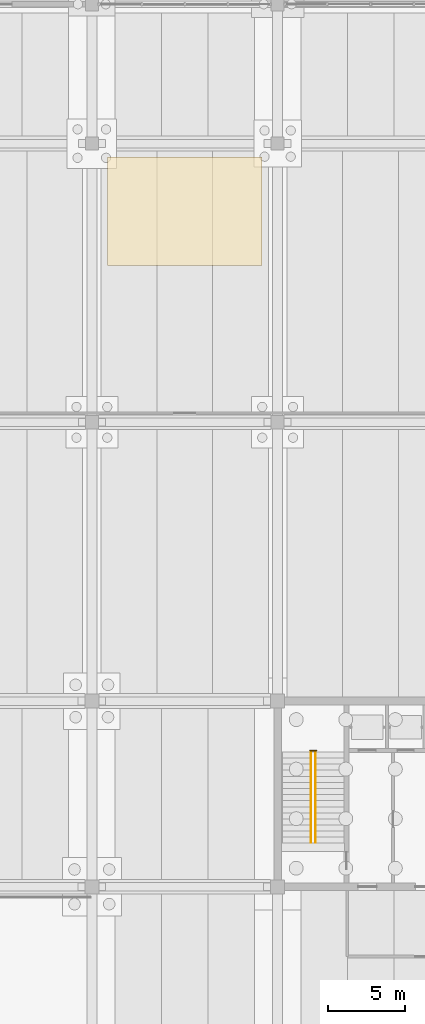
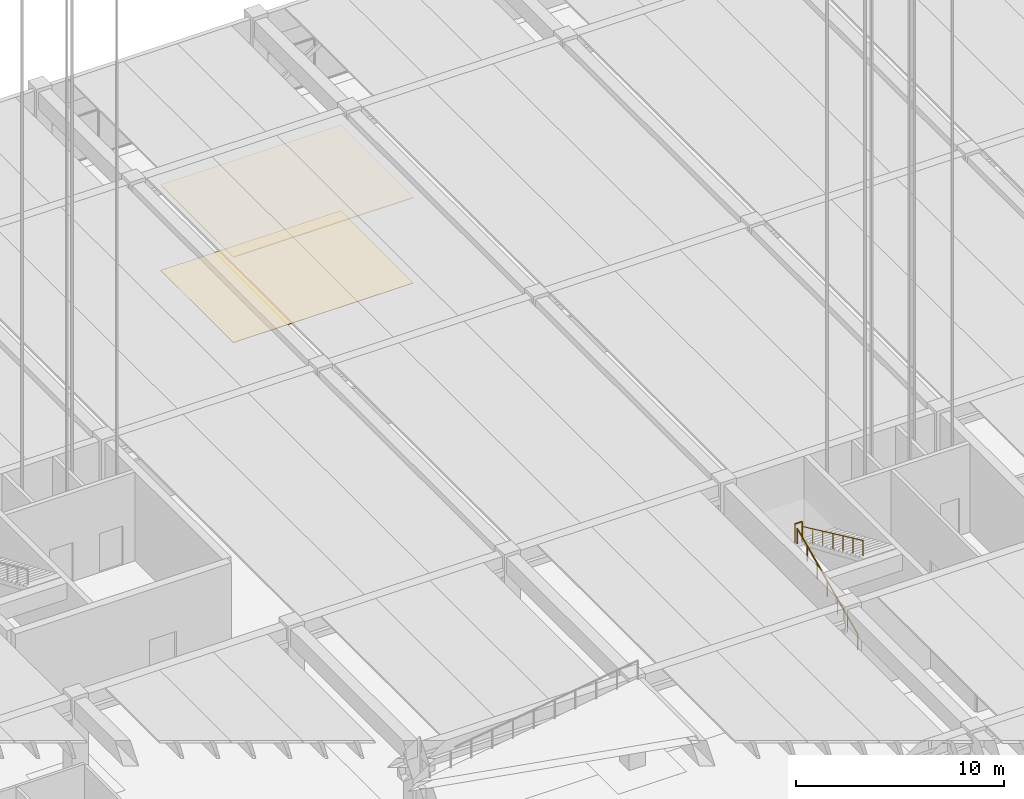
# One storey, part 57 of 59: 3 railings, 2 coverings.
"""IFC4 building model written with IfcOpenShell, lengths in metres."""

from ifc_helpers import new_model, si_unit, direction, frame, origin, origin_2d, place, context, subcontext, project, spatial, rectangle, circle, extrude, material, layer, layer_set, type_object, element, save


model = new_model("IFC4")

# Units and contexts
model_context = context("Model", 3, precision=1e-05, world=origin(), true_north=direction((0.0, 1.0)))
body_context = subcontext(model_context, "Body", "Model", "MODEL_VIEW")
ifc_project = project(units=[si_unit("LENGTHUNIT", "METRE"), si_unit("AREAUNIT", "SQUARE_METRE"), si_unit("VOLUMEUNIT", "CUBIC_METRE"), si_unit("PLANEANGLEUNIT", "RADIAN"), si_unit("MASSUNIT", "GRAM", prefix="KILO")], contexts=[model_context])

# Site, building, storey
site_placement = place(None, origin())
site = spatial("IfcSite", under=ifc_project, at=site_placement, CompositionType="ELEMENT")
building_placement = place(site_placement, origin())
building = spatial("IfcBuilding", under=site, at=building_placement, Name="Girod Span Mobility Hub", CompositionType="ELEMENT")
storey_placement = place(building_placement, origin())
storey = spatial("IfcBuildingStorey", under=building, at=storey_placement, Name="L00", CompositionType="ELEMENT", Elevation=0.0)

# Coverings
ifc_material_1 = material(Name="Perforated Mineral-Fibre Acoustic Ceiling Tile", Category="mineral")
ifc_layer_1 = layer(ifc_material_1, 0.050048828125)
ifc_layer_set_1 = layer_set([ifc_layer_1], Name="Perforated Mineral-Fibre Acoustic Ceiling Tile")
covering_type_1 = type_object("IfcCoveringType", Name="COV-CLG-1000X700", PredefinedType="CEILING", material=ifc_layer_set_1)
covering_1_placement = place(storey_placement, frame((102.0, 100.625, 5.0048828125), z_axis=(0.0, 0.0, 1.0), x_axis=(1.0, 0.0, 0.0)))
element("IfcCovering", 1, at=covering_1_placement, inside=storey, type_object=covering_type_1, Name="Shared Mobility Hall Acoustic Ceiling", PredefinedType="CEILING", context=body_context, shape_type="SweptSolid", body=[
    extrude(rectangle(XDim=10.0, YDim=7.0, at=origin_2d()), origin(), (0.0, 0.0, 1.0), 0.050048828125),
])
ifc_material_2 = material(Name="Epoxy Terrazzo and Raised Access Flooring", Category="polymer")
ifc_layer_2 = layer(ifc_material_2, 0.02490234375)
ifc_layer_set_2 = layer_set([ifc_layer_2], Name="Epoxy Terrazzo and Raised Access Flooring")
covering_type_2 = type_object("IfcCoveringType", Name="COV-FLR-1000X700", PredefinedType="FLOORING", material=ifc_layer_set_2)
covering_2_placement = place(storey_placement, frame((102.0, 100.625, 0.0), z_axis=(0.0, 0.0, 1.0), x_axis=(1.0, 0.0, 0.0)))
element("IfcCovering", 2, at=covering_2_placement, inside=storey, type_object=covering_type_2, Name="Shared Mobility Hall Floor Finish", PredefinedType="FLOORING", context=body_context, shape_type="SweptSolid", body=[
    extrude(rectangle(XDim=10.0, YDim=7.0, at=origin_2d()), origin(), (0.0, 0.0, 1.0), 0.02490234375),
])

# Railings
ifc_material_3 = material(Name="Painted Galvanised Steel", Category="steel")
ifc_layer_3 = layer(ifc_material_3, 0.06494140625)
ifc_layer_set_3 = layer_set([ifc_layer_3], Name="Painted Galvanised Steel")
railing_type_1 = type_object("IfcRailingType", Name="RL-GRD-1120", PredefinedType="GUARDRAIL", material=ifc_layer_set_3)
railing_1_placement = place(storey_placement, frame((110.10009765625, 65.7900390625, 2.699951171875)))
element("IfcRailing", 3, at=railing_1_placement, inside=storey, type_object=railing_type_1, Name="Stair ST-2 Half-Landing Well Guard L00", PredefinedType="GUARDRAIL", context=body_context, shape_type="SweptSolid", body=[
    extrude(circle(Radius=0.02392578125, at=origin_2d()), frame((0.0, 0.0, 1.09619140625), z_axis=(1.0, 0.0, 0.0), x_axis=(0.0, 1.0, 0.0)), (0.0, 0.0, 1.0), 0.39990234375),
    extrude(circle(Radius=0.02099609375, at=origin_2d()), origin(), (0.0, 0.0, 1.0), 1.072021484375),
    extrude(circle(Radius=0.02099609375, at=origin_2d()), frame((0.39990234375, 0.0, 0.0)), (0.0, 0.0, 1.0), 1.072021484375),
])
ifc_material_4 = material(Name="Painted Galvanised Steel", Category="steel")
ifc_layer_4 = layer(ifc_material_4, 0.050048828125)
ifc_layer_set_4 = layer_set([ifc_layer_4], Name="Painted Galvanised Steel")
railing_type_2 = type_object("IfcRailingType", Name="RL-HR-920", PredefinedType="HANDRAIL", material=ifc_layer_set_4)
railing_2_placement = place(storey_placement, frame((110.14990234375, 59.860107421875, 0.0)))
element("IfcRailing", 4, at=railing_2_placement, inside=storey, type_object=railing_type_2, Name="Stair ST-2 Flight 1 Handrail L00", PredefinedType="HANDRAIL", context=body_context, shape_type="SweptSolid", body=[
    extrude(circle(Radius=0.02392578125, at=origin_2d()), frame((0.0, 0.0, 0.89599609375), z_axis=(0.0, 0.90657954365, 0.422034987928), x_axis=(-1.0, 0.0, 0.0)), (0.0, 0.0, 1.0), 6.3974609375),
    extrude(circle(Radius=0.02099609375, at=origin_2d()), origin(), (0.0, 0.0, 1.0), 0.871826171875),
    extrude(circle(Radius=0.02099609375, at=origin_2d()), frame((0.0, 0.966552734375, 0.449951171875)), (0.0, 0.0, 1.0), 0.871826171875),
    extrude(circle(Radius=0.02099609375, at=origin_2d()), frame((0.0, 1.933349609375, 0.89990234375)), (0.0, 0.0, 1.0), 0.871826171875),
    extrude(circle(Radius=0.02099609375, at=origin_2d()), frame((0.0, 2.89990234375, 1.35009765625)), (0.0, 0.0, 1.0), 0.871826171875),
    extrude(circle(Radius=0.02099609375, at=origin_2d()), frame((0.0, 3.866455078125, 1.800048828125)), (0.0, 0.0, 1.0), 0.871826171875),
    extrude(circle(Radius=0.02099609375, at=origin_2d()), frame((0.0, 4.833251953125, 2.25)), (0.0, 0.0, 1.0), 0.871826171875),
    extrude(circle(Radius=0.02099609375, at=origin_2d()), frame((0.0, 5.7998046875, 2.699951171875)), (0.0, 0.0, 1.0), 0.871826171875),
])
railing_3_placement = place(storey_placement, frame((110.449951171875, 65.659912109375, 2.699951171875)))
element("IfcRailing", 5, at=railing_3_placement, inside=storey, type_object=railing_type_2, Name="Stair ST-2 Flight 2 Handrail L00", PredefinedType="HANDRAIL", context=body_context, shape_type="SweptSolid", body=[
    extrude(circle(Radius=0.02392578125, at=origin_2d()), frame((0.0, 0.0, 0.89599609375), z_axis=(0.0, -0.90657954365, 0.422034987928), x_axis=(1.0, 0.0, 0.0)), (0.0, 0.0, 1.0), 6.3974609375),
    extrude(circle(Radius=0.02099609375, at=origin_2d()), origin(), (0.0, 0.0, 1.0), 0.871826171875),
    extrude(circle(Radius=0.02099609375, at=origin_2d()), frame((0.0, -0.966552734375, 0.449951171875)), (0.0, 0.0, 1.0), 0.871826171875),
    extrude(circle(Radius=0.02099609375, at=origin_2d()), frame((0.0, -1.933349609375, 0.89990234375)), (0.0, 0.0, 1.0), 0.871826171875),
    extrude(circle(Radius=0.02099609375, at=origin_2d()), frame((0.0, -2.89990234375, 1.35009765625)), (0.0, 0.0, 1.0), 0.871826171875),
    extrude(circle(Radius=0.02099609375, at=origin_2d()), frame((0.0, -3.866455078125, 1.800048828125)), (0.0, 0.0, 1.0), 0.871826171875),
    extrude(circle(Radius=0.02099609375, at=origin_2d()), frame((0.0, -4.833251953125, 2.25)), (0.0, 0.0, 1.0), 0.871826171875),
    extrude(circle(Radius=0.02099609375, at=origin_2d()), frame((0.0, -5.7998046875, 2.699951171875)), (0.0, 0.0, 1.0), 0.871826171875),
])

save(model, "model.ifc")
